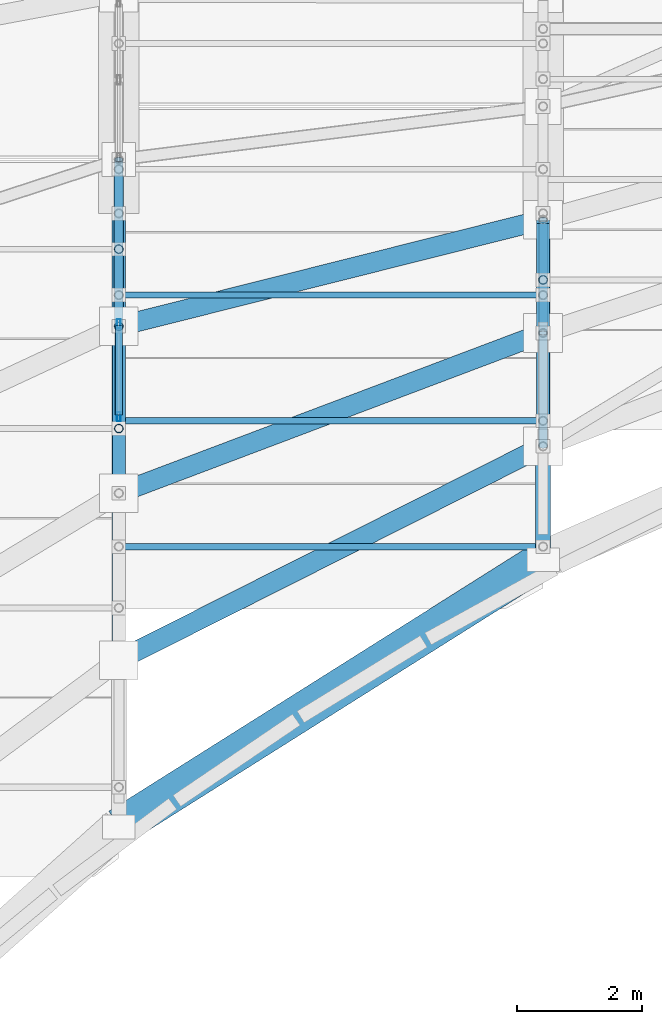
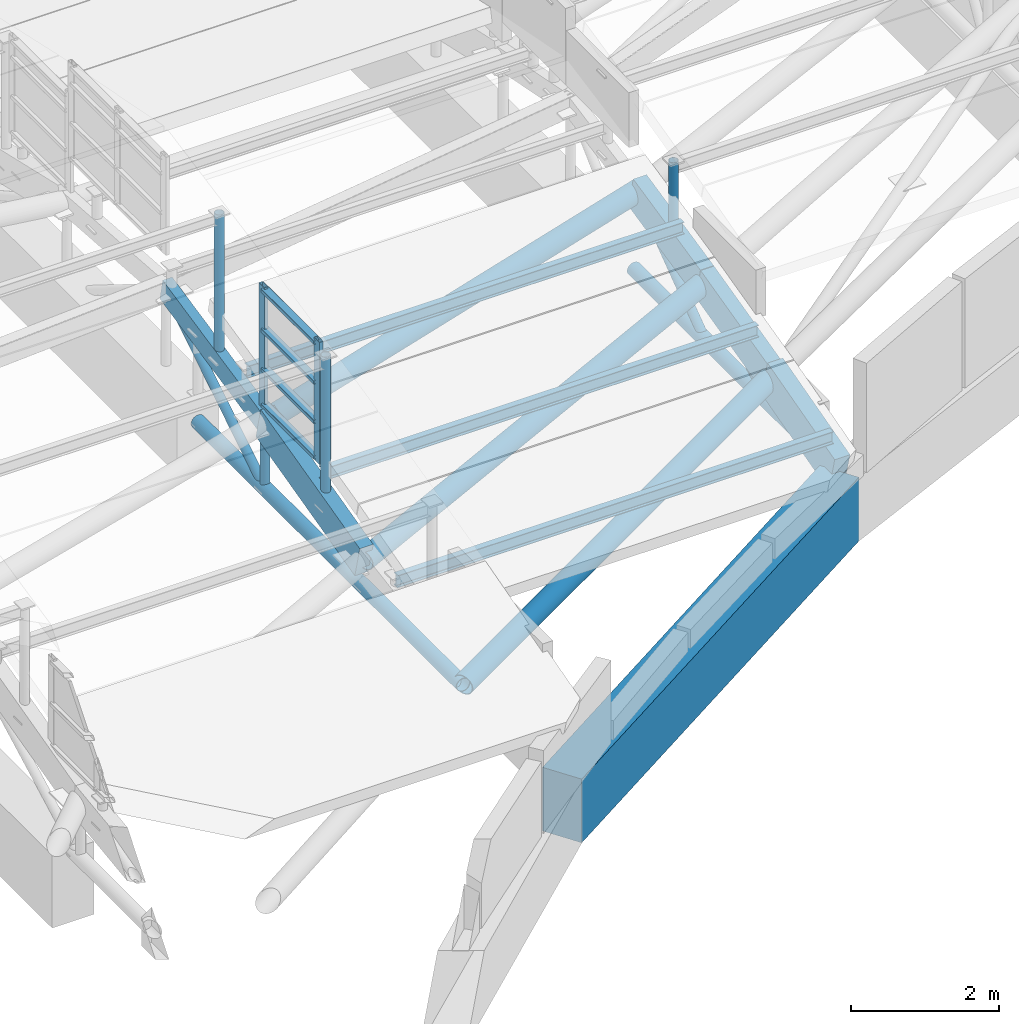
# One storey, part 103 of 188: 26 members, 1 beam, 1 element without a shape of its own.
"""IFC4 building model written with IfcOpenShell, lengths in metres."""

from ifc_helpers import new_model, si_unit, direction, frame, origin, origin_2d, place, context, subcontext, project, spatial, rectangle, hollow_rectangle, hollow_circle, i_section, extrude, material, layer, layer_set, material_profile, profile_set, type_object, element, aggregate, save


model = new_model("IFC4")

# Units and contexts
model_context = context("Model", 3, precision=1e-05, world=origin(), true_north=direction((0.0, 1.0)))
body_context = subcontext(model_context, "Body", "Model", "MODEL_VIEW")
ifc_project = project(units=[si_unit("LENGTHUNIT", "METRE"), si_unit("AREAUNIT", "SQUARE_METRE"), si_unit("VOLUMEUNIT", "CUBIC_METRE"), si_unit("PLANEANGLEUNIT", "RADIAN"), si_unit("MASSUNIT", "GRAM", prefix="KILO")], contexts=[model_context])

# Site, building, storey
site_placement = place(None, origin())
site = spatial("IfcSite", under=ifc_project, at=site_placement, CompositionType="ELEMENT")
building_placement = place(site_placement, origin())
building = spatial("IfcBuilding", under=site, at=building_placement, Name="Kisaragi Civic Commons", CompositionType="ELEMENT")
storey_placement = place(building_placement, frame((0.0, 0.0, 9.60009765625)))
storey = spatial("IfcBuildingStorey", under=building, at=storey_placement, Name="L02", CompositionType="ELEMENT", Elevation=9.60009765625)

# Curtain wall, members
ifc_material_1 = material(Name="Thermally broken anodized aluminium and low-E double glazing", Category="aluminium")
ifc_layer = layer(ifc_material_1, 0.14990234375, Name="Thermally broken anodized aluminium and low-E double glazing", Category="aluminium")
ifc_layer_set = layer_set([ifc_layer], Name="Thermally broken anodized aluminium and low-E double glazing")
curtain_wall_type = type_object("IfcCurtainWallType", Name="CW-03", PredefinedType="NOTDEFINED", material=ifc_layer_set)
curtain_wall_placement = place(storey_placement, origin())
curtain_wall = element("IfcCurtainWall", 1, at=curtain_wall_placement, inside=storey, type_object=curtain_wall_type, Name="L02 curtain wall CW-03 CW-CL-V2-214", PredefinedType="NOTDEFINED")
ifc_material_profile_1 = material_profile(ifc_material_1, hollow_rectangle(XDim=0.06005859375, YDim=0.14990234375, WallThickness=0.00390625, InnerFilletRadius=0.00390625, OuterFilletRadius=0.008056640625, at=origin_2d()), Name="CWM-60x150x4", Category="aluminium")
ifc_profile_set_1 = profile_set([ifc_material_profile_1], Name="Thermally broken anodized aluminium and low-E double glazing")
member_type_1 = type_object("IfcMemberType", Name="CWM-01", PredefinedType="MULLION", material=ifc_profile_set_1)
member_1_placement = place(storey_placement, frame((40.800048828125, 101.14208984375, 0.832275390625), z_axis=(0.0, 0.0, 1.0), x_axis=(-1.0, 0.0, 0.0)))
member_1 = element("IfcMember", 2, at=member_1_placement, type_object=member_type_1, Name="CW-03 mullion 1", PredefinedType="MULLION", context=body_context, shape_type="SweptSolid", body=[
    extrude(hollow_rectangle(XDim=0.06005859375, YDim=0.14990234375, WallThickness=0.00390625, InnerFilletRadius=0.00390625, OuterFilletRadius=0.008056640625, at=origin_2d()), origin(), (0.0, 0.0, 1.0), 2.016357421875),
])
member_2_placement = place(storey_placement, frame((40.800048828125, 102.63037109375, 0.832275390625), z_axis=(0.0, 0.0, 1.0), x_axis=(-1.0, 0.0, 0.0)))
member_2 = element("IfcMember", 3, at=member_2_placement, type_object=member_type_1, Name="CW-03 mullion 2", PredefinedType="MULLION", context=body_context, shape_type="SweptSolid", body=[
    extrude(hollow_rectangle(XDim=0.06005859375, YDim=0.14990234375, WallThickness=0.00390625, InnerFilletRadius=0.00390625, OuterFilletRadius=0.008056640625, at=origin_2d()), origin(), (0.0, 0.0, 1.0), 2.016357421875),
])
ifc_material_profile_2 = material_profile(ifc_material_1, hollow_rectangle(XDim=0.1201171875, YDim=0.06005859375, WallThickness=0.00390625, InnerFilletRadius=0.00390625, OuterFilletRadius=0.008056640625, at=origin_2d()), Name="CWT-60x120x4", Category="aluminium")
ifc_profile_set_2 = profile_set([ifc_material_profile_2], Name="Thermally broken anodized aluminium and low-E double glazing")
member_type_2 = type_object("IfcMemberType", Name="CWT-01", PredefinedType="USERDEFINED", material=ifc_profile_set_2)
member_3_placement = place(storey_placement, frame((40.800048828125, 101.172119140625, 0.892333984375), z_axis=(0.0, 1.0, 0.0), x_axis=(-1.0, 0.0, 0.0)))
member_3 = element("IfcMember", 4, at=member_3_placement, type_object=member_type_2, Name="CW-03 transom 1.1", ObjectType="TRANSOM", PredefinedType="USERDEFINED", context=body_context, shape_type="SweptSolid", body=[
    extrude(hollow_rectangle(XDim=0.1201171875, YDim=0.06005859375, WallThickness=0.00390625, InnerFilletRadius=0.00390625, OuterFilletRadius=0.008056640625, at=origin_2d()), origin(), (0.0, 0.0, 1.0), 1.42822265625),
])
member_4_placement = place(storey_placement, frame((40.800048828125, 101.172119140625, 1.482421875), z_axis=(0.0, 1.0, 0.0), x_axis=(-1.0, 0.0, 0.0)))
member_4 = element("IfcMember", 5, at=member_4_placement, type_object=member_type_2, Name="CW-03 transom 1.2", ObjectType="TRANSOM", PredefinedType="USERDEFINED", context=body_context, shape_type="SweptSolid", body=[
    extrude(hollow_rectangle(XDim=0.1201171875, YDim=0.06005859375, WallThickness=0.00390625, InnerFilletRadius=0.00390625, OuterFilletRadius=0.008056640625, at=origin_2d()), origin(), (0.0, 0.0, 1.0), 1.42822265625),
])
member_5_placement = place(storey_placement, frame((40.800048828125, 101.172119140625, 2.13232421875), z_axis=(0.0, 1.0, 0.0), x_axis=(-1.0, 0.0, 0.0)))
member_5 = element("IfcMember", 6, at=member_5_placement, type_object=member_type_2, Name="CW-03 transom 1.3", ObjectType="TRANSOM", PredefinedType="USERDEFINED", context=body_context, shape_type="SweptSolid", body=[
    extrude(hollow_rectangle(XDim=0.1201171875, YDim=0.06005859375, WallThickness=0.00390625, InnerFilletRadius=0.00390625, OuterFilletRadius=0.008056640625, at=origin_2d()), origin(), (0.0, 0.0, 1.0), 1.42822265625),
])
member_6_placement = place(storey_placement, frame((40.800048828125, 101.172119140625, 2.788818359375), z_axis=(0.0, 1.0, 0.0), x_axis=(-1.0, 0.0, 0.0)))
member_6 = element("IfcMember", 7, at=member_6_placement, type_object=member_type_2, Name="CW-03 transom 1.4", ObjectType="TRANSOM", PredefinedType="USERDEFINED", context=body_context, shape_type="SweptSolid", body=[
    extrude(hollow_rectangle(XDim=0.1201171875, YDim=0.06005859375, WallThickness=0.00390625, InnerFilletRadius=0.00390625, OuterFilletRadius=0.008056640625, at=origin_2d()), origin(), (0.0, 0.0, 1.0), 1.42822265625),
])
aggregate(curtain_wall, [member_1, member_2, member_3, member_4, member_5, member_6])

# Beam
ifc_material_2 = material(Name="Concrete Fc36", Category="concrete")
ifc_material_profile_3 = material_profile(ifc_material_2, rectangle(XDim=0.60009765625, YDim=1.050048828125, at=origin_2d()), Name="RC-600x1050", Category="concrete")
ifc_profile_set_3 = profile_set([ifc_material_profile_3], Name="Concrete Fc36")
beam_type = type_object("IfcBeamType", Name="G-06", PredefinedType="BEAM", material=ifc_profile_set_3)
beam_placement = place(storey_placement, frame((47.60009765625, 98.851318359375, -0.84521484375), z_axis=(-0.845973556766, -0.533224850558, 0.0), x_axis=(0.533224850558, -0.845973556766, 0.0)))
element("IfcBeam", 8, at=beam_placement, inside=storey, type_object=beam_type, Name="L02 curved spandrel/ring girder G-06 273", PredefinedType="BEAM", context=body_context, shape_type="SweptSolid", body=[
    extrude(rectangle(XDim=0.60009765625, YDim=1.050048828125, at=origin_2d()), origin(), (0.0, 0.0, 1.0), 8.0380859375),
])

# Members
ifc_material_3 = material(Name="Steel SN490 (SN490B)", Category="steel")
ifc_material_profile_4 = material_profile(ifc_material_3, hollow_circle(Radius=0.1591796875, WallThickness=0.01025390625, at=origin_2d()), Name="CHS-318.5x10.3", Category="steel")
ifc_profile_set_4 = profile_set([ifc_material_profile_4], Name="Steel SN490 (SN490B)")
member_type_3 = type_object("IfcMemberType", Name="GC-03", PredefinedType="CHORD", material=ifc_profile_set_4)
member_7_placement = place(storey_placement, frame((40.800048828125, 97.239990234375, -0.48193359375), z_axis=(0.889902931811, 0.448545839217, 0.082942161023), x_axis=(-0.450096709202, 0.892979816326, 0.0)))
element("IfcMember", 9, at=member_7_placement, inside=storey, type_object=member_type_3, Name="V2 wave gridshell chord GC-03 43", PredefinedType="CHORD", context=body_context, shape_type="SweptSolid", body=[
    extrude(hollow_circle(Radius=0.1591796875, WallThickness=0.01025390625, at=origin_2d()), origin(), (0.0, 0.0, 1.0), 7.641357421875),
])
member_8_placement = place(storey_placement, frame((40.800048828125, 99.914794921875, -0.04833984375), z_axis=(0.93176363847, 0.351957966479, 0.089118527013), x_axis=(-0.353363991922, 0.935485910751, 0.0)))
element("IfcMember", 10, at=member_8_placement, inside=storey, type_object=member_type_3, Name="V2 wave gridshell chord GC-03 44", PredefinedType="CHORD", context=body_context, shape_type="SweptSolid", body=[
    extrude(hollow_circle(Radius=0.1591796875, WallThickness=0.01025390625, at=origin_2d()), origin(), (0.0, 0.0, 1.0), 7.298095703125),
])
member_9_placement = place(storey_placement, frame((40.800048828125, 102.589599609375, 0.62548828125), z_axis=(0.968392996399, 0.243515044942, 0.053994698), x_axis=(-0.24387079823, 0.969807730311, 0.0)))
element("IfcMember", 11, at=member_9_placement, inside=storey, type_object=member_type_3, Name="V2 wave gridshell chord GC-03 45", PredefinedType="CHORD", context=body_context, shape_type="SweptSolid", body=[
    extrude(hollow_circle(Radius=0.1591796875, WallThickness=0.01025390625, at=origin_2d()), origin(), (0.0, 0.0, 1.0), 7.02197265625),
])
ifc_material_4 = material(Name="Glulam E120-F330", Category="wood")
ifc_material_profile_5 = material_profile(ifc_material_4, rectangle(XDim=0.239990234375, YDim=0.6298828125, at=origin_2d()), Name="GL-240x630", Category="wood")
ifc_profile_set_5 = profile_set([ifc_material_profile_5], Name="Glulam E120-F330")
member_type_4 = type_object("IfcMemberType", Name="GR-03", PredefinedType="RAFTER", material=ifc_profile_set_5)
member_10_placement = place(storey_placement, frame((47.60009765625, 98.851318359375, -0.34326171875), z_axis=(0.0, 0.964790752547, 0.263018637742), x_axis=(-1.0, 0.0, 0.0)))
element("IfcMember", 12, at=member_10_placement, inside=storey, type_object=member_type_4, Name="V2 glulam arch rib GR-03 57", PredefinedType="RAFTER", context=body_context, shape_type="SweptSolid", body=[
    extrude(rectangle(XDim=0.239990234375, YDim=0.6298828125, at=origin_2d()), origin(), (0.0, 0.0, 1.0), 1.88232421875),
])
ifc_material_profile_6 = material_profile(ifc_material_4, rectangle(XDim=0.2099609375, YDim=0.5400390625, at=origin_2d()), Name="GL-210x540", Category="wood")
ifc_profile_set_6 = profile_set([ifc_material_profile_6], Name="Glulam E120-F330")
member_type_5 = type_object("IfcMemberType", Name="GR-04", PredefinedType="RAFTER", material=ifc_profile_set_6)
member_11_placement = place(storey_placement, frame((40.800048828125, 99.914794921875, -0.04833984375), z_axis=(0.0, 0.969703584807, 0.244284583248), x_axis=(-1.0, 0.0, 0.0)))
element("IfcMember", 13, at=member_11_placement, inside=storey, type_object=member_type_5, Name="V2 glulam arch rib GR-04 51", PredefinedType="RAFTER", context=body_context, shape_type="SweptSolid", body=[
    extrude(rectangle(XDim=0.2099609375, YDim=0.5400390625, at=origin_2d()), origin(), (0.0, 0.0, 1.0), 2.75830078125),
])
member_12_placement = place(storey_placement, frame((47.60009765625, 100.66748046875, 0.15185546875), z_axis=(0.0, 0.970616552738, 0.24063147664), x_axis=(-1.0, 0.0, 0.0)))
element("IfcMember", 14, at=member_12_placement, inside=storey, type_object=member_type_5, Name="V2 glulam arch rib GR-04 58", PredefinedType="RAFTER", context=body_context, shape_type="SweptSolid", body=[
    extrude(rectangle(XDim=0.2099609375, YDim=0.5400390625, at=origin_2d()), origin(), (0.0, 0.0, 1.0), 1.870849609375),
])
member_13_placement = place(storey_placement, frame((47.60009765625, 102.4833984375, 0.60205078125), z_axis=(0.0, 0.97630118158, 0.216416272137), x_axis=(-1.0, 0.0, 0.0)))
element("IfcMember", 15, at=member_13_placement, inside=storey, type_object=member_type_5, Name="V2 glulam arch rib GR-04 59", PredefinedType="RAFTER", context=body_context, shape_type="SweptSolid", body=[
    extrude(rectangle(XDim=0.2099609375, YDim=0.5400390625, at=origin_2d()), origin(), (0.0, 0.0, 1.0), 1.8603515625),
])
ifc_material_profile_7 = material_profile(ifc_material_4, rectangle(XDim=0.14990234375, YDim=0.360107421875, at=origin_2d()), Name="GL-150x360", Category="wood")
ifc_profile_set_7 = profile_set([ifc_material_profile_7], Name="Glulam E120-F330")
member_type_6 = type_object("IfcMemberType", Name="GR-06", PredefinedType="RAFTER", material=ifc_profile_set_7)
member_14_placement = place(storey_placement, frame((40.800048828125, 102.589599609375, 0.62548828125), z_axis=(0.0, 0.978092782555, 0.208169423101), x_axis=(-1.0, 0.0, 0.0)))
element("IfcMember", 16, at=member_14_placement, inside=storey, type_object=member_type_6, Name="V2 glulam arch rib GR-06 52", PredefinedType="RAFTER", context=body_context, shape_type="SweptSolid", body=[
    extrude(rectangle(XDim=0.14990234375, YDim=0.360107421875, at=origin_2d()), origin(), (0.0, 0.0, 1.0), 2.73486328125),
])
ifc_material_5 = material(Name="Steel SN400 (SN400B)", Category="steel")
ifc_material_profile_8 = material_profile(ifc_material_5, i_section(OverallWidth=0.10009765625, OverallDepth=0.199951171875, WebThickness=0.005615234375, FlangeThickness=0.008056640625, FilletRadius=0.008056640625, at=origin_2d()), Name="H-200x100x5.5x8", Category="steel")
ifc_profile_set_8 = profile_set([ifc_material_profile_8], Name="Steel SN400 (SN400B)")
member_type_7 = type_object("IfcMemberType", Name="PR-02", PredefinedType="PURLIN", material=ifc_profile_set_8)
for number, where, z_axis, x_axis, name in (
    (17, (40.800048828125, 99.059326171875, 0.138671875), (1.0, 0.0, 0.0), (0.0, 1.0, 0.0), "V2 wave vault steel purlin 48"),
    (18, (40.800048828125, 101.075439453125, 0.672607421875), (1.0, 0.0, 0.0), (0.0, 1.0, 0.0), "V2 wave vault steel purlin 49"),
    (19, (40.800048828125, 103.091552734375, 1.150390625), (1.0, 0.0, 0.0), (0.0, 1.0, 0.0), "V2 wave vault steel purlin 50"),
):
    element("IfcMember", number, at=place(storey_placement, frame(where, z_axis=z_axis, x_axis=x_axis)), inside=storey, type_object=member_type_7, Name=name, PredefinedType="PURLIN", context=body_context, shape_type="SweptSolid", body=[
        extrude(i_section(OverallWidth=0.10009765625, OverallDepth=0.199951171875, WebThickness=0.005615234375, FlangeThickness=0.008056640625, FilletRadius=0.008056640625, at=origin_2d()), origin(), (0.0, 0.0, 1.0), 6.800048828125),
    ])
ifc_material_profile_9 = material_profile(ifc_material_3, hollow_circle(Radius=0.06982421875, WallThickness=0.006103515625, at=origin_2d()), Name="CHS-139.8x6.0", Category="steel")
ifc_profile_set_9 = profile_set([ifc_material_profile_9], Name="Steel SN490 (SN490B)")
member_type_8 = type_object("IfcMemberType", Name="ST-H1", PredefinedType="STRUT", material=ifc_profile_set_9)
member_15_placement = place(storey_placement, frame((40.800048828125, 102.589599609375, -0.48193359375), z_axis=(0.0, 0.0, 1.0), x_axis=(1.0, 0.0, 0.0)))
element("IfcMember", 20, at=member_15_placement, inside=storey, type_object=member_type_8, Name="V2 arch tie hanger strut 90", PredefinedType="STRUT", context=body_context, shape_type="SweptSolid", body=[
    extrude(hollow_circle(Radius=0.06982421875, WallThickness=0.006103515625, at=origin_2d()), origin(), (0.0, 0.0, 1.0), 1.107421875),
])
member_16_placement = place(storey_placement, frame((40.800048828125, 102.589599609375, -0.48193359375), z_axis=(0.0, 0.847306825397, 0.531103703279), x_axis=(-1.0, 0.0, 0.0)))
element("IfcMember", 21, at=member_16_placement, inside=storey, type_object=member_type_8, Name="V2 tied arch truss diagonal web strut 94", PredefinedType="STRUT", context=body_context, shape_type="SweptSolid", body=[
    extrude(hollow_circle(Radius=0.06982421875, WallThickness=0.006103515625, at=origin_2d()), origin(), (0.0, 0.0, 1.0), 3.1572265625),
])
member_17_placement = place(storey_placement, frame((47.60009765625, 100.66748046875, -0.34326171875), z_axis=(0.0, 0.887009745041, 0.461750703522), x_axis=(-1.0, 0.0, 0.0)))
element("IfcMember", 22, at=member_17_placement, inside=storey, type_object=member_type_8, Name="V2 tied arch truss diagonal web strut 106", PredefinedType="STRUT", context=body_context, shape_type="SweptSolid", body=[
    extrude(hollow_circle(Radius=0.06982421875, WallThickness=0.006103515625, at=origin_2d()), origin(), (0.0, 0.0, 1.0), 2.047119140625),
])
member_18_placement = place(storey_placement, frame((47.60009765625, 102.4833984375, -0.34326171875), z_axis=(0.0, 0.80300804018, 0.595968193284), x_axis=(-1.0, 0.0, 0.0)))
element("IfcMember", 23, at=member_18_placement, inside=storey, type_object=member_type_8, Name="V2 tied arch truss diagonal web strut 107", PredefinedType="STRUT", context=body_context, shape_type="SweptSolid", body=[
    extrude(hollow_circle(Radius=0.06982421875, WallThickness=0.006103515625, at=origin_2d()), origin(), (0.0, 0.0, 1.0), 2.26171875),
])
member_19_placement = place(storey_placement, frame((40.800048828125, 100.9521484375, 0.212890625), z_axis=(0.0, 0.0, 1.0), x_axis=(1.0, 0.0, 0.0)))
element("IfcMember", 24, at=member_19_placement, inside=storey, type_object=member_type_8, Name="V2 clerestory monitor horizontal tie strut 6.6.3", PredefinedType="STRUT", context=body_context, shape_type="SweptSolid", body=[
    extrude(hollow_circle(Radius=0.06982421875, WallThickness=0.006103515625, at=origin_2d()), origin(), (0.0, 0.0, 1.0), 2.500244140625),
])
member_20_placement = place(storey_placement, frame((40.800048828125, 103.8271484375, 0.888916015625), z_axis=(0.0, 0.0, 1.0), x_axis=(1.0, 0.0, 0.0)))
element("IfcMember", 25, at=member_20_placement, inside=storey, type_object=member_type_8, Name="V2 clerestory monitor horizontal tie strut 6.6.4", PredefinedType="STRUT", context=body_context, shape_type="SweptSolid", body=[
    extrude(hollow_circle(Radius=0.06982421875, WallThickness=0.006103515625, at=origin_2d()), origin(), (0.0, 0.0, 1.0), 2.426025390625),
])
member_21_placement = place(storey_placement, frame((47.60009765625, 103.334228515625, 0.79052734375), z_axis=(0.0, 0.0, 1.0), x_axis=(1.0, 0.0, 0.0)))
element("IfcMember", 26, at=member_21_placement, inside=storey, type_object=member_type_8, Name="V2 clerestory monitor horizontal tie strut 8.7.2", PredefinedType="STRUT", context=body_context, shape_type="SweptSolid", body=[
    extrude(hollow_circle(Radius=0.06982421875, WallThickness=0.006103515625, at=origin_2d()), origin(), (0.0, 0.0, 1.0), 1.302490234375),
])
ifc_material_profile_10 = material_profile(ifc_material_3, hollow_circle(Radius=0.108154296875, WallThickness=0.008056640625, at=origin_2d()), Name="CHS-216.3x8.0", Category="steel")
ifc_profile_set_10 = profile_set([ifc_material_profile_10], Name="Steel SN490 (SN490B)")
member_type_9 = type_object("IfcMemberType", Name="ST-T2", PredefinedType="STRUT", material=ifc_profile_set_10)
member_22_placement = place(storey_placement, frame((40.800048828125, 97.239990234375, -0.48193359375), z_axis=(0.0, 1.0, 0.0), x_axis=(-1.0, 0.0, 0.0)))
element("IfcMember", 27, at=member_22_placement, inside=storey, type_object=member_type_9, Name="V2 arch tension tie ST-T2 87", PredefinedType="STRUT", context=body_context, shape_type="SweptSolid", body=[
    extrude(hollow_circle(Radius=0.108154296875, WallThickness=0.008056640625, at=origin_2d()), origin(), (0.0, 0.0, 1.0), 7.159912109375),
])
member_23_placement = place(storey_placement, frame((47.60009765625, 98.851318359375, -0.34326171875), z_axis=(0.0, 1.0, 0.0), x_axis=(-1.0, 0.0, 0.0)))
element("IfcMember", 28, at=member_23_placement, inside=storey, type_object=member_type_9, Name="V2 arch tension tie ST-T2 97", PredefinedType="STRUT", context=body_context, shape_type="SweptSolid", body=[
    extrude(hollow_circle(Radius=0.108154296875, WallThickness=0.008056640625, at=origin_2d()), origin(), (0.0, 0.0, 1.0), 5.548583984375),
])

save(model, "model.ifc")
